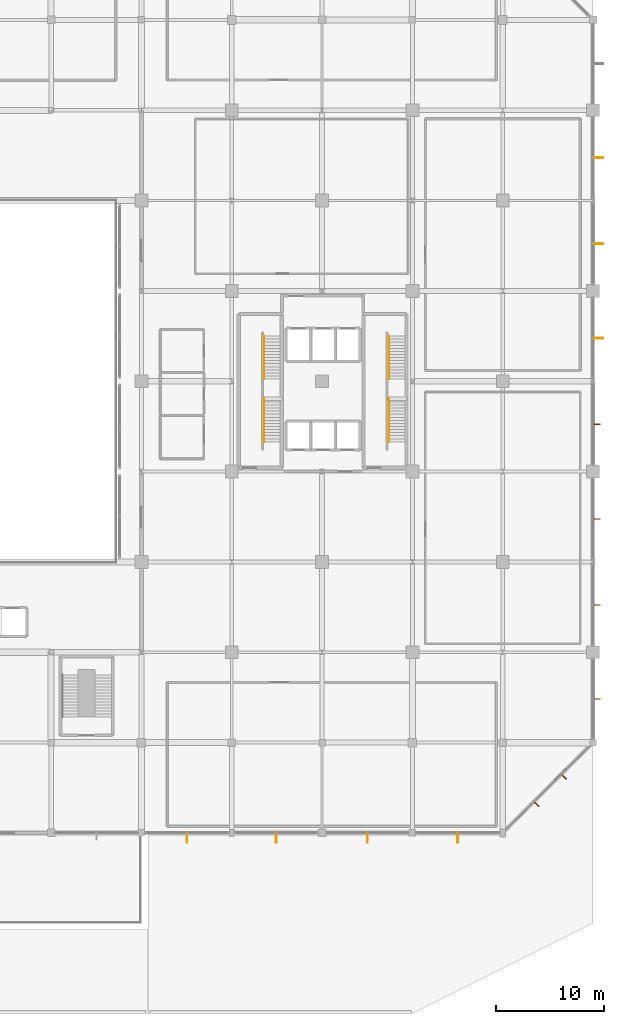
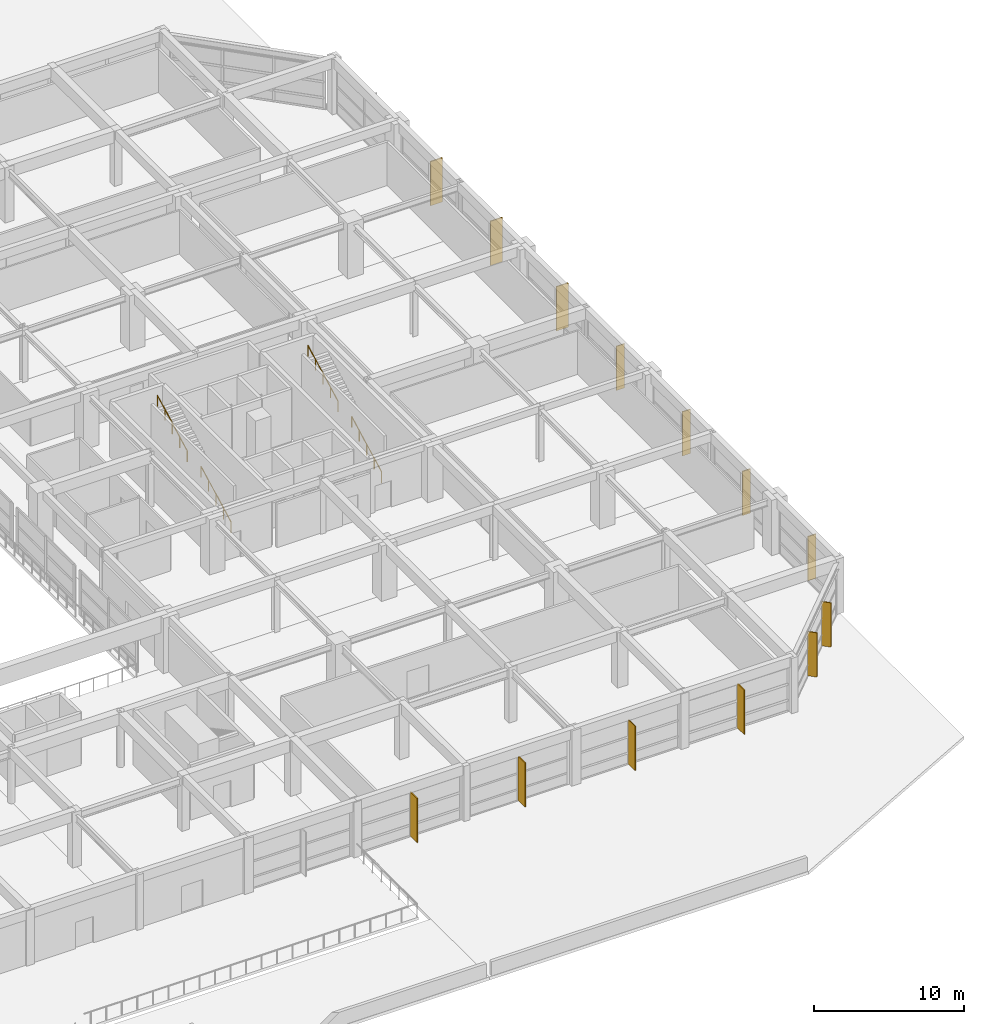
# One storey, part 59 of 60: 13 shading devices, 4 railings.
"""IFC4 building model written with IfcOpenShell, lengths in metres."""

from ifc_helpers import new_model, si_unit, direction, frame, origin, origin_2d, place, context, subcontext, project, spatial, rectangle, circle, extrude, material, type_object, element, save


model = new_model("IFC4")

# Units and contexts
model_context = context("Model", 3, precision=1e-05, world=origin(), true_north=direction((0.0, 1.0)))
body_context = subcontext(model_context, "Body", "Model", "MODEL_VIEW")
ifc_project = project(units=[si_unit("LENGTHUNIT", "METRE"), si_unit("AREAUNIT", "SQUARE_METRE"), si_unit("VOLUMEUNIT", "CUBIC_METRE"), si_unit("PLANEANGLEUNIT", "RADIAN"), si_unit("MASSUNIT", "GRAM", prefix="KILO")], contexts=[model_context])

# Site, building, storey
site_placement = place(None, origin())
site = spatial("IfcSite", under=ifc_project, at=site_placement, CompositionType="ELEMENT")
building_placement = place(site_placement, origin())
building = spatial("IfcBuilding", under=site, at=building_placement, Name="Xuanlan Plaza Opera House", CompositionType="ELEMENT")
storey_placement = place(building_placement, frame((0.0, 0.0, 9.89990234375)))
storey = spatial("IfcBuildingStorey", under=building, at=storey_placement, Name="L02", CompositionType="ELEMENT", Elevation=9.89990234375)

# Shading devices
ifc_material_1 = material(Name="Anodised Aluminium 6063-T6", Category="aluminium")
shading_device_type_1 = type_object("IfcShadingDeviceType", Name="ENV-SHD-BRS01", PredefinedType="JALOUSIE", material=ifc_material_1)
for number, where, z_axis, x_axis, name in (
    (1, (162.7294921875, 19.469970703125, 0.0400390625), (0.0, 0.0, 1.0), (0.707106781187, -0.707106781187, 0.0), "Parametric Sunshade Fin L02-0115"),
    (2, (165.280029296875, 22.0205078125, 0.0400390625), (0.0, 0.0, 1.0), (0.707106781187, -0.707106781187, 0.0), "Parametric Sunshade Fin L02-0116"),
    (3, (168.324951171875, 29.25, 0.0400390625), (0.0, 0.0, 1.0), (1.0, 0.0, 0.0), "Parametric Sunshade Fin L02-0117"),
    (4, (168.324951171875, 37.99658203125, 0.0400390625), (0.0, 0.0, 1.0), (1.0, 0.0, 0.0), "Parametric Sunshade Fin L02-0118"),
    (5, (168.324951171875, 46.00341796875, 0.0400390625), (0.0, 0.0, 1.0), (1.0, 0.0, 0.0), "Parametric Sunshade Fin L02-0119"),
    (6, (168.324951171875, 54.79638671875, 0.0400390625), (0.0, 0.0, 1.0), (1.0, 0.0, 0.0), "Parametric Sunshade Fin L02-0120"),
):
    element("IfcShadingDevice", number, at=place(storey_placement, frame(where, z_axis=z_axis, x_axis=x_axis)), inside=storey, type_object=shading_device_type_1, Name=name, PredefinedType="JALOUSIE", context=body_context, shape_type="SweptSolid", body=[
        extrude(rectangle(XDim=0.639892578125, YDim=0.070068359375, at=origin_2d()), origin(), (0.0, 0.0, 1.0), 3.60009765625),
    ])
shading_device_type_2 = type_object("IfcShadingDeviceType", Name="ENV-SHD-BRS02", PredefinedType="JALOUSIE", material=ifc_material_1)
for number, where, z_axis, x_axis, name in (
    (7, (130.237548828125, 16.3349609375, 0.0400390625), (0.0, 0.0, 1.0), (0.0, -1.0, 0.0), "Parametric Sunshade Fin L02-0111"),
    (8, (138.53759765625, 16.3349609375, 0.0400390625), (0.0, 0.0, 1.0), (0.0, -1.0, 0.0), "Parametric Sunshade Fin L02-0112"),
    (9, (147.02490234375, 16.3349609375, 0.0400390625), (0.0, 0.0, 1.0), (0.0, -1.0, 0.0), "Parametric Sunshade Fin L02-0113"),
    (10, (155.425048828125, 16.3349609375, 0.0400390625), (0.0, 0.0, 1.0), (0.0, -1.0, 0.0), "Parametric Sunshade Fin L02-0114"),
    (11, (168.465087890625, 62.803466796875, 0.0400390625), (0.0, 0.0, 1.0), (1.0, 0.0, 0.0), "Parametric Sunshade Fin L02-0121"),
    (12, (168.465087890625, 71.596435546875, 0.0400390625), (0.0, 0.0, 1.0), (1.0, 0.0, 0.0), "Parametric Sunshade Fin L02-0122"),
    (13, (168.465087890625, 79.603515625, 0.0400390625), (0.0, 0.0, 1.0), (1.0, 0.0, 0.0), "Parametric Sunshade Fin L02-0123"),
):
    element("IfcShadingDevice", number, at=place(storey_placement, frame(where, z_axis=z_axis, x_axis=x_axis)), inside=storey, type_object=shading_device_type_2, Name=name, PredefinedType="JALOUSIE", context=body_context, shape_type="SweptSolid", body=[
        extrude(rectangle(XDim=0.919921875, YDim=0.080078125, at=origin_2d()), origin(), (0.0, 0.0, 1.0), 3.60009765625),
    ])

# Railings
ifc_material_2 = material(Name="Stainless Steel S30408", Category="steel")
railing_type = type_object("IfcRailingType", Name="INT-RL-HR01", PredefinedType="HANDRAIL", material=ifc_material_2)
for number, where, name in (
    (14, (137.409912109375, 53.169921875, 0.150146484375), "Stair Handrail ST-T1 L02 Flight 1"),
    (15, (137.409912109375, 59.010009765625, 2.400146484375), "Stair Handrail ST-T1 L02 Flight 2"),
    (16, (149.010009765625, 53.169921875, 0.150146484375), "Stair Handrail ST-T2 L02 Flight 1"),
    (17, (149.010009765625, 59.010009765625, 2.400146484375), "Stair Handrail ST-T2 L02 Flight 2"),
):
    element("IfcRailing", number, at=place(storey_placement, frame(where)), inside=storey, type_object=railing_type, Name=name, PredefinedType="HANDRAIL", context=body_context, shape_type="SweptSolid", body=[
        extrude(circle(Radius=0.02392578125, at=origin_2d()), frame((0.0, 0.0, 0.8759765625), z_axis=(0.0, 0.884931142248, 0.465721884261), x_axis=(-1.0, 0.0, 0.0)), (0.0, 0.0, 1.0), 4.5087890625),
        extrude(circle(Radius=0.02099609375, at=origin_2d()), origin(), (0.0, 0.0, 1.0), 0.851806640625),
        extrude(circle(Radius=0.02099609375, at=origin_2d()), frame((0.0, 0.99755859375, 0.52490234375)), (0.0, 0.0, 1.0), 0.851806640625),
        extrude(circle(Radius=0.02099609375, at=origin_2d()), frame((0.0, 1.9951171875, 1.0498046875)), (0.0, 0.0, 1.0), 0.851806640625),
        extrude(circle(Radius=0.02099609375, at=origin_2d()), frame((0.0, 2.992431640625, 1.574951171875)), (0.0, 0.0, 1.0), 0.851806640625),
        extrude(circle(Radius=0.02099609375, at=origin_2d()), frame((0.0, 3.989990234375, 2.099853515625)), (0.0, 0.0, 1.0), 0.851806640625),
    ])

save(model, "model.ifc")
